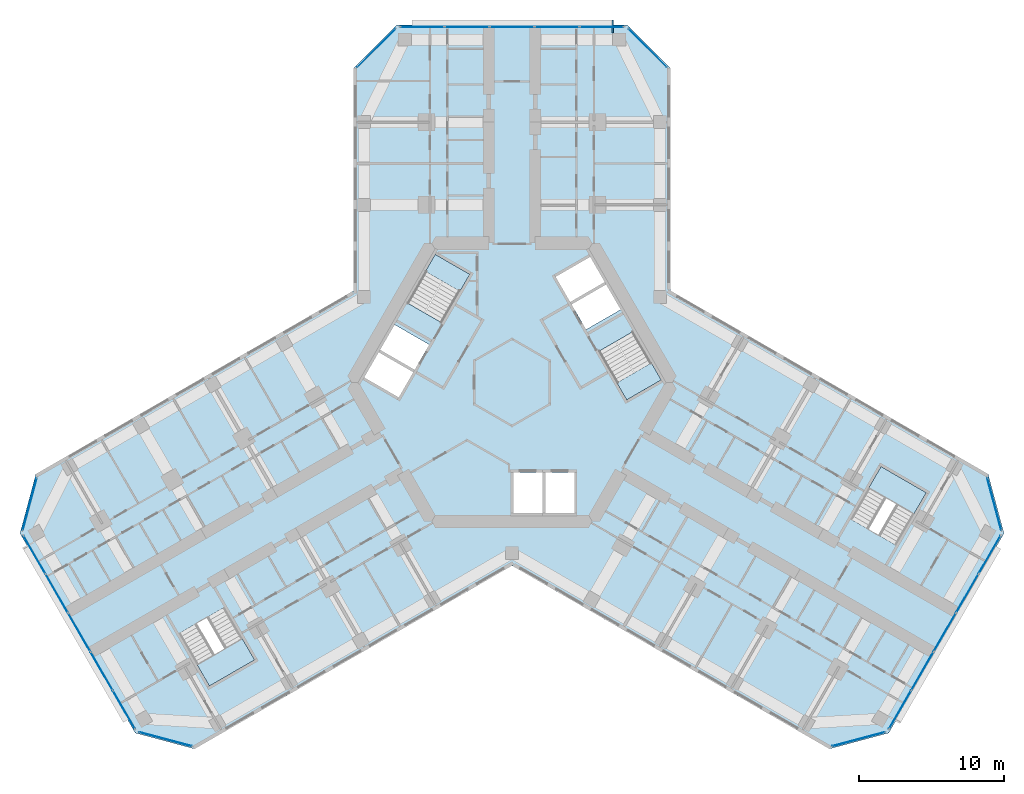
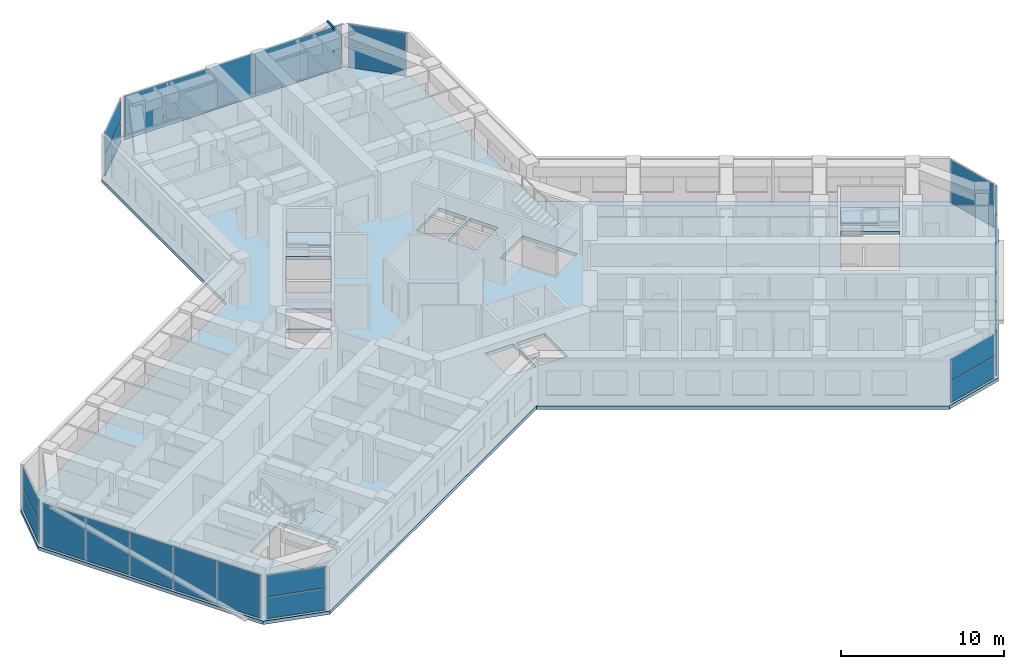
# One storey, part 9 of 19: 27 plates, 5 slabs, 1 member, 13 elements without a shape of their own.
"""IFC4 building model written with IfcOpenShell, lengths in metres."""

from ifc_helpers import new_model, si_unit, direction, frame, origin, origin_2d, place, context, subcontext, project, spatial, polyline, rectangle, hollow_rectangle, outline, extrude, material, layer, layer_set, material_profile, profile_set, type_object, element, aggregate, save


model = new_model("IFC4")

# Units and contexts
model_context = context("Model", 3, precision=1e-05, world=origin(), true_north=direction((0.0, 1.0)))
body_context = subcontext(model_context, "Body", "Model", "MODEL_VIEW")
ifc_project = project(units=[si_unit("LENGTHUNIT", "METRE"), si_unit("AREAUNIT", "SQUARE_METRE"), si_unit("VOLUMEUNIT", "CUBIC_METRE"), si_unit("PLANEANGLEUNIT", "RADIAN"), si_unit("MASSUNIT", "GRAM", prefix="KILO")], contexts=[model_context])

# Site, building, storey
site_placement = place(None, origin())
site = spatial("IfcSite", under=ifc_project, at=site_placement, CompositionType="ELEMENT")
building_placement = place(site_placement, origin())
building = spatial("IfcBuilding", under=site, at=building_placement, Name="Kosmar Iwan School Tower", CompositionType="ELEMENT")
storey_placement = place(building_placement, frame((0.0, 0.0, 158.0)))
storey = spatial("IfcBuildingStorey", under=building, at=storey_placement, Name="L39", CompositionType="ELEMENT", Elevation=158.0)

# Member
ifc_material_1 = material(Name="Steel S355", Category="steel")
ifc_material_profile = material_profile(ifc_material_1, hollow_rectangle(XDim=0.10009765625, YDim=0.199951171875, WallThickness=0.008056640625, at=origin_2d()), Name="RHS 200x100x8")
ifc_profile_set = profile_set([ifc_material_profile], Name="Steel S355")
member_type = type_object("IfcMemberType", Name="Fin bracket RHS 200x100", PredefinedType="USERDEFINED", material=ifc_profile_set)
member_placement = place(storey_placement, frame((6.949951171875, 24.10009765625, 3.47509765625), z_axis=(0.0, 1.0, 0.0), x_axis=(-1.0, 0.0, 0.0)))
element("IfcMember", 1, at=member_placement, inside=storey, type_object=member_type, Name="Fin bracket L40", ObjectType="FIN BRACKET", PredefinedType="USERDEFINED", context=body_context, shape_type="SweptSolid", body=[
    extrude(hollow_rectangle(XDim=0.10009765625, YDim=0.199951171875, WallThickness=0.008056640625, at=origin_2d()), origin(), (0.0, 0.0, 1.0), 0.89990234375),
])

# Curtain wall, plates
ifc_material_2 = material(Name="Dark glass in black aluminium frame", Category="aluminium")
curtain_wall_type_1 = type_object("IfcCurtainWallType", Name="Chamfer curtain wall dark glass", PredefinedType="USERDEFINED", material=ifc_material_2)
curtain_wall_1_placement = place(storey_placement, origin())
curtain_wall_1 = element("IfcCurtainWall", 2, at=curtain_wall_1_placement, inside=storey, type_object=curtain_wall_type_1, Name="Curtain wall L39-F02", ObjectType="FACETED CURTAIN WALL", PredefinedType="USERDEFINED")
ifc_material_3 = material(Name="Dark glass", Category="glass")
ifc_layer_1 = layer(ifc_material_3, 0.028076171875)
ifc_layer_set_1 = layer_set([ifc_layer_1], Name="Dark glass panel 28")
plate_type = type_object("IfcPlateType", Name="Dark glass panel 28", PredefinedType="CURTAIN_PANEL", material=ifc_layer_set_1)
plate_1_placement = place(storey_placement, frame((23.908203125, -24.61328125, 0.06005859375), z_axis=(0.0, 0.0, 1.0), x_axis=(0.965925875495, 0.258818861462, 0.0)))
plate_1 = element("IfcPlate", 3, at=plate_1_placement, type_object=plate_type, Name="CW2 panel 1.1", PredefinedType="CURTAIN_PANEL", context=body_context, shape_type="SweptSolid", body=[
    extrude(rectangle(XDim=3.718994140625, YDim=0.028076171875, at=origin_2d()), origin(), (0.0, 0.0, 1.0), 1.5849609375),
])
plate_2_placement = place(storey_placement, frame((23.908203125, -24.61328125, 1.705078125), z_axis=(0.0, 0.0, 1.0), x_axis=(0.965925875495, 0.258818861462, 0.0)))
plate_2 = element("IfcPlate", 4, at=plate_2_placement, type_object=plate_type, Name="CW2 panel 1.2", PredefinedType="CURTAIN_PANEL", context=body_context, shape_type="SweptSolid", body=[
    extrude(rectangle(XDim=3.718994140625, YDim=0.028076171875, at=origin_2d()), origin(), (0.0, 0.0, 1.0), 1.5849609375),
])
aggregate(curtain_wall_1, [plate_1, plate_2])

ifc_material_4 = material(Name="Dark glass in black aluminium frame", Category="aluminium")
curtain_wall_type_2 = type_object("IfcCurtainWallType", Name="Tower curtain wall dark glass", PredefinedType="USERDEFINED", material=ifc_material_4)
curtain_wall_2_placement = place(storey_placement, origin())
curtain_wall_2 = element("IfcCurtainWall", 5, at=curtain_wall_2_placement, inside=storey, type_object=curtain_wall_type_2, Name="Curtain wall L39-F03", ObjectType="UNITISED CURTAIN WALL", PredefinedType="USERDEFINED")
plate_3_placement = place(storey_placement, frame((26.764404296875, -22.592529296875, 0.06005859375), z_axis=(0.0, 0.0, 1.0), x_axis=(0.499999997325, 0.866025405329, 0.0)))
plate_3 = element("IfcPlate", 6, at=plate_3_placement, type_object=plate_type, Name="CW1 panel 1.1", PredefinedType="CURTAIN_PANEL", context=body_context, shape_type="SweptSolid", body=[
    extrude(rectangle(XDim=3.00927734375, YDim=0.028076171875, at=origin_2d()), origin(), (0.0, 0.0, 1.0), 3.22998046875),
])
plate_4_placement = place(storey_placement, frame((28.306640625, -19.921630859375, 0.06005859375), z_axis=(0.0, 0.0, 1.0), x_axis=(0.499999997325, 0.866025405329, 0.0)))
plate_4 = element("IfcPlate", 7, at=plate_4_placement, type_object=plate_type, Name="CW1 panel 2.1", PredefinedType="CURTAIN_PANEL", context=body_context, shape_type="SweptSolid", body=[
    extrude(rectangle(XDim=3.039306640625, YDim=0.028076171875, at=origin_2d()), origin(), (0.0, 0.0, 1.0), 3.22998046875),
])
plate_5_placement = place(storey_placement, frame((29.856201171875, -17.237548828125, 0.06005859375), z_axis=(0.0, 0.0, 1.0), x_axis=(0.499999997325, 0.866025405329, 0.0)))
plate_5 = element("IfcPlate", 8, at=plate_5_placement, type_object=plate_type, Name="CW1 panel 3.1", PredefinedType="CURTAIN_PANEL", context=body_context, shape_type="SweptSolid", body=[
    extrude(rectangle(XDim=3.039306640625, YDim=0.028076171875, at=origin_2d()), origin(), (0.0, 0.0, 1.0), 3.22998046875),
])
plate_6_placement = place(storey_placement, frame((31.40576171875, -14.553466796875, 0.06005859375), z_axis=(0.0, 0.0, 1.0), x_axis=(0.499999997325, 0.866025405329, 0.0)))
plate_6 = element("IfcPlate", 9, at=plate_6_placement, type_object=plate_type, Name="CW1 panel 4.1", PredefinedType="CURTAIN_PANEL", context=body_context, shape_type="SweptSolid", body=[
    extrude(rectangle(XDim=3.039306640625, YDim=0.028076171875, at=origin_2d()), origin(), (0.0, 0.0, 1.0), 3.22998046875),
])
plate_7_placement = place(storey_placement, frame((32.947998046875, -11.88232421875, 0.06005859375), z_axis=(0.0, 0.0, 1.0), x_axis=(0.499999997325, 0.866025405329, 0.0)))
plate_7 = element("IfcPlate", 10, at=plate_7_placement, type_object=plate_type, Name="CW1 panel 5.1", PredefinedType="CURTAIN_PANEL", context=body_context, shape_type="SweptSolid", body=[
    extrude(rectangle(XDim=3.00927734375, YDim=0.028076171875, at=origin_2d()), origin(), (0.0, 0.0, 1.0), 3.22998046875),
])
aggregate(curtain_wall_2, [plate_3, plate_4, plate_5, plate_6, plate_7])

curtain_wall_3_placement = place(storey_placement, origin())
curtain_wall_3 = element("IfcCurtainWall", 11, at=curtain_wall_3_placement, inside=storey, type_object=curtain_wall_type_1, Name="Curtain wall L39-F04", ObjectType="FACETED CURTAIN WALL", PredefinedType="USERDEFINED")
plate_8_placement = place(storey_placement, frame((33.269775390625, -8.3984375, 0.06005859375), z_axis=(0.0, 0.0, 1.0), x_axis=(-0.258818861462, 0.965925875495, 0.0)))
plate_8 = element("IfcPlate", 12, at=plate_8_placement, type_object=plate_type, Name="CW2 panel 1.1", PredefinedType="CURTAIN_PANEL", context=body_context, shape_type="SweptSolid", body=[
    extrude(rectangle(XDim=3.718994140625, YDim=0.028076171875, at=origin_2d()), origin(), (0.0, 0.0, 1.0), 1.5849609375),
])
plate_9_placement = place(storey_placement, frame((33.269775390625, -8.3984375, 1.705078125), z_axis=(0.0, 0.0, 1.0), x_axis=(-0.258818861462, 0.965925875495, 0.0)))
plate_9 = element("IfcPlate", 13, at=plate_9_placement, type_object=plate_type, Name="CW2 panel 1.2", PredefinedType="CURTAIN_PANEL", context=body_context, shape_type="SweptSolid", body=[
    extrude(rectangle(XDim=3.718994140625, YDim=0.028076171875, at=origin_2d()), origin(), (0.0, 0.0, 1.0), 1.5849609375),
])
aggregate(curtain_wall_3, [plate_8, plate_9])

curtain_wall_4_placement = place(storey_placement, origin())
curtain_wall_4 = element("IfcCurtainWall", 14, at=curtain_wall_4_placement, inside=storey, type_object=curtain_wall_type_1, Name="Curtain wall L39-F07", ObjectType="FACETED CURTAIN WALL", PredefinedType="USERDEFINED")
plate_10_placement = place(storey_placement, frame((9.361572265625, 23.0615234375, 0.06005859375), z_axis=(0.0, 0.0, 1.0), x_axis=(-0.707106781187, 0.707106781187, 0.0)))
plate_10 = element("IfcPlate", 15, at=plate_10_placement, type_object=plate_type, Name="CW2 panel 1.1", PredefinedType="CURTAIN_PANEL", context=body_context, shape_type="SweptSolid", body=[
    extrude(rectangle(XDim=3.718994140625, YDim=0.028076171875, at=origin_2d()), origin(), (0.0, 0.0, 1.0), 1.5849609375),
])
plate_11_placement = place(storey_placement, frame((9.361572265625, 23.0615234375, 1.705078125), z_axis=(0.0, 0.0, 1.0), x_axis=(-0.707106781187, 0.707106781187, 0.0)))
plate_11 = element("IfcPlate", 16, at=plate_11_placement, type_object=plate_type, Name="CW2 panel 1.2", PredefinedType="CURTAIN_PANEL", context=body_context, shape_type="SweptSolid", body=[
    extrude(rectangle(XDim=3.718994140625, YDim=0.028076171875, at=origin_2d()), origin(), (0.0, 0.0, 1.0), 1.5849609375),
])
aggregate(curtain_wall_4, [plate_10, plate_11])

curtain_wall_5_placement = place(storey_placement, origin())
curtain_wall_5 = element("IfcCurtainWall", 17, at=curtain_wall_5_placement, inside=storey, type_object=curtain_wall_type_2, Name="Curtain wall L39-F08", ObjectType="UNITISED CURTAIN WALL", PredefinedType="USERDEFINED")
plate_12_placement = place(storey_placement, frame((6.18359375, 24.52490234375, 0.06005859375), z_axis=(0.0, 0.0, 1.0), x_axis=(-1.0, 0.0, 0.0)))
plate_12 = element("IfcPlate", 18, at=plate_12_placement, type_object=plate_type, Name="CW1 panel 1.1", PredefinedType="CURTAIN_PANEL", context=body_context, shape_type="SweptSolid", body=[
    extrude(rectangle(XDim=3.00927734375, YDim=0.028076171875, at=origin_2d()), origin(), (0.0, 0.0, 1.0), 3.22998046875),
])
plate_13_placement = place(storey_placement, frame((3.099365234375, 24.52490234375, 0.06005859375), z_axis=(0.0, 0.0, 1.0), x_axis=(-1.0, 0.0, 0.0)))
plate_13 = element("IfcPlate", 19, at=plate_13_placement, type_object=plate_type, Name="CW1 panel 2.1", PredefinedType="CURTAIN_PANEL", context=body_context, shape_type="SweptSolid", body=[
    extrude(rectangle(XDim=3.039306640625, YDim=0.028076171875, at=origin_2d()), origin(), (0.0, 0.0, 1.0), 3.22998046875),
])
plate_14_placement = place(storey_placement, frame((0.0, 24.52490234375, 0.06005859375), z_axis=(0.0, 0.0, 1.0), x_axis=(-1.0, 0.0, 0.0)))
plate_14 = element("IfcPlate", 20, at=plate_14_placement, type_object=plate_type, Name="CW1 panel 3.1", PredefinedType="CURTAIN_PANEL", context=body_context, shape_type="SweptSolid", body=[
    extrude(rectangle(XDim=3.039306640625, YDim=0.028076171875, at=origin_2d()), origin(), (0.0, 0.0, 1.0), 3.22998046875),
])
plate_15_placement = place(storey_placement, frame((-3.099365234375, 24.52490234375, 0.06005859375), z_axis=(0.0, 0.0, 1.0), x_axis=(-1.0, 0.0, 0.0)))
plate_15 = element("IfcPlate", 21, at=plate_15_placement, type_object=plate_type, Name="CW1 panel 4.1", PredefinedType="CURTAIN_PANEL", context=body_context, shape_type="SweptSolid", body=[
    extrude(rectangle(XDim=3.039306640625, YDim=0.028076171875, at=origin_2d()), origin(), (0.0, 0.0, 1.0), 3.22998046875),
])
plate_16_placement = place(storey_placement, frame((-6.18359375, 24.52490234375, 0.06005859375), z_axis=(0.0, 0.0, 1.0), x_axis=(-1.0, 0.0, 0.0)))
plate_16 = element("IfcPlate", 22, at=plate_16_placement, type_object=plate_type, Name="CW1 panel 5.1", PredefinedType="CURTAIN_PANEL", context=body_context, shape_type="SweptSolid", body=[
    extrude(rectangle(XDim=3.00927734375, YDim=0.028076171875, at=origin_2d()), origin(), (0.0, 0.0, 1.0), 3.22998046875),
])
aggregate(curtain_wall_5, [plate_12, plate_13, plate_14, plate_15, plate_16])

curtain_wall_6_placement = place(storey_placement, origin())
curtain_wall_6 = element("IfcCurtainWall", 23, at=curtain_wall_6_placement, inside=storey, type_object=curtain_wall_type_1, Name="Curtain wall L39-F09", ObjectType="FACETED CURTAIN WALL", PredefinedType="USERDEFINED")
plate_17_placement = place(storey_placement, frame((-9.361572265625, 23.0615234375, 0.06005859375), z_axis=(0.0, 0.0, 1.0), x_axis=(-0.707106781187, -0.707106781187, 0.0)))
plate_17 = element("IfcPlate", 24, at=plate_17_placement, type_object=plate_type, Name="CW2 panel 1.1", PredefinedType="CURTAIN_PANEL", context=body_context, shape_type="SweptSolid", body=[
    extrude(rectangle(XDim=3.718994140625, YDim=0.028076171875, at=origin_2d()), origin(), (0.0, 0.0, 1.0), 1.5849609375),
])
plate_18_placement = place(storey_placement, frame((-9.361572265625, 23.0615234375, 1.705078125), z_axis=(0.0, 0.0, 1.0), x_axis=(-0.707106781187, -0.707106781187, 0.0)))
plate_18 = element("IfcPlate", 25, at=plate_18_placement, type_object=plate_type, Name="CW2 panel 1.2", PredefinedType="CURTAIN_PANEL", context=body_context, shape_type="SweptSolid", body=[
    extrude(rectangle(XDim=3.718994140625, YDim=0.028076171875, at=origin_2d()), origin(), (0.0, 0.0, 1.0), 1.5849609375),
])
aggregate(curtain_wall_6, [plate_17, plate_18])

curtain_wall_7_placement = place(storey_placement, origin())
curtain_wall_7 = element("IfcCurtainWall", 26, at=curtain_wall_7_placement, inside=storey, type_object=curtain_wall_type_1, Name="Curtain wall L39-F12", ObjectType="FACETED CURTAIN WALL", PredefinedType="USERDEFINED")
plate_19_placement = place(storey_placement, frame((-33.269775390625, -8.3984375, 0.06005859375), z_axis=(0.0, 0.0, 1.0), x_axis=(-0.258818861462, -0.965925875495, 0.0)))
plate_19 = element("IfcPlate", 27, at=plate_19_placement, type_object=plate_type, Name="CW2 panel 1.1", PredefinedType="CURTAIN_PANEL", context=body_context, shape_type="SweptSolid", body=[
    extrude(rectangle(XDim=3.718994140625, YDim=0.028076171875, at=origin_2d()), origin(), (0.0, 0.0, 1.0), 1.5849609375),
])
plate_20_placement = place(storey_placement, frame((-33.269775390625, -8.3984375, 1.705078125), z_axis=(0.0, 0.0, 1.0), x_axis=(-0.258818861462, -0.965925875495, 0.0)))
plate_20 = element("IfcPlate", 28, at=plate_20_placement, type_object=plate_type, Name="CW2 panel 1.2", PredefinedType="CURTAIN_PANEL", context=body_context, shape_type="SweptSolid", body=[
    extrude(rectangle(XDim=3.718994140625, YDim=0.028076171875, at=origin_2d()), origin(), (0.0, 0.0, 1.0), 1.5849609375),
])
aggregate(curtain_wall_7, [plate_19, plate_20])

curtain_wall_8_placement = place(storey_placement, origin())
curtain_wall_8 = element("IfcCurtainWall", 29, at=curtain_wall_8_placement, inside=storey, type_object=curtain_wall_type_2, Name="Curtain wall L39-F13", ObjectType="UNITISED CURTAIN WALL", PredefinedType="USERDEFINED")
plate_21_placement = place(storey_placement, frame((-32.947998046875, -11.88232421875, 0.06005859375), z_axis=(0.0, 0.0, 1.0), x_axis=(0.499999997325, -0.866025405329, 0.0)))
plate_21 = element("IfcPlate", 30, at=plate_21_placement, type_object=plate_type, Name="CW1 panel 1.1", PredefinedType="CURTAIN_PANEL", context=body_context, shape_type="SweptSolid", body=[
    extrude(rectangle(XDim=3.00927734375, YDim=0.028076171875, at=origin_2d()), origin(), (0.0, 0.0, 1.0), 3.22998046875),
])
plate_22_placement = place(storey_placement, frame((-31.40576171875, -14.553466796875, 0.06005859375), z_axis=(0.0, 0.0, 1.0), x_axis=(0.499999997325, -0.866025405329, 0.0)))
plate_22 = element("IfcPlate", 31, at=plate_22_placement, type_object=plate_type, Name="CW1 panel 2.1", PredefinedType="CURTAIN_PANEL", context=body_context, shape_type="SweptSolid", body=[
    extrude(rectangle(XDim=3.039306640625, YDim=0.028076171875, at=origin_2d()), origin(), (0.0, 0.0, 1.0), 3.22998046875),
])
plate_23_placement = place(storey_placement, frame((-29.856201171875, -17.237548828125, 0.06005859375), z_axis=(0.0, 0.0, 1.0), x_axis=(0.499999997325, -0.866025405329, 0.0)))
plate_23 = element("IfcPlate", 32, at=plate_23_placement, type_object=plate_type, Name="CW1 panel 3.1", PredefinedType="CURTAIN_PANEL", context=body_context, shape_type="SweptSolid", body=[
    extrude(rectangle(XDim=3.039306640625, YDim=0.028076171875, at=origin_2d()), origin(), (0.0, 0.0, 1.0), 3.22998046875),
])
plate_24_placement = place(storey_placement, frame((-28.306640625, -19.921630859375, 0.06005859375), z_axis=(0.0, 0.0, 1.0), x_axis=(0.499999997325, -0.866025405329, 0.0)))
plate_24 = element("IfcPlate", 33, at=plate_24_placement, type_object=plate_type, Name="CW1 panel 4.1", PredefinedType="CURTAIN_PANEL", context=body_context, shape_type="SweptSolid", body=[
    extrude(rectangle(XDim=3.039306640625, YDim=0.028076171875, at=origin_2d()), origin(), (0.0, 0.0, 1.0), 3.22998046875),
])
plate_25_placement = place(storey_placement, frame((-26.764404296875, -22.592529296875, 0.06005859375), z_axis=(0.0, 0.0, 1.0), x_axis=(0.499999997325, -0.866025405329, 0.0)))
plate_25 = element("IfcPlate", 34, at=plate_25_placement, type_object=plate_type, Name="CW1 panel 5.1", PredefinedType="CURTAIN_PANEL", context=body_context, shape_type="SweptSolid", body=[
    extrude(rectangle(XDim=3.00927734375, YDim=0.028076171875, at=origin_2d()), origin(), (0.0, 0.0, 1.0), 3.22998046875),
])
aggregate(curtain_wall_8, [plate_21, plate_22, plate_23, plate_24, plate_25])

curtain_wall_9_placement = place(storey_placement, origin())
curtain_wall_9 = element("IfcCurtainWall", 35, at=curtain_wall_9_placement, inside=storey, type_object=curtain_wall_type_1, Name="Curtain wall L39-F14", ObjectType="FACETED CURTAIN WALL", PredefinedType="USERDEFINED")
plate_26_placement = place(storey_placement, frame((-23.908203125, -24.61328125, 0.06005859375), z_axis=(0.0, 0.0, 1.0), x_axis=(0.965925875495, -0.258818861462, 0.0)))
plate_26 = element("IfcPlate", 36, at=plate_26_placement, type_object=plate_type, Name="CW2 panel 1.1", PredefinedType="CURTAIN_PANEL", context=body_context, shape_type="SweptSolid", body=[
    extrude(rectangle(XDim=3.718994140625, YDim=0.028076171875, at=origin_2d()), origin(), (0.0, 0.0, 1.0), 1.5849609375),
])
plate_27_placement = place(storey_placement, frame((-23.908203125, -24.61328125, 1.705078125), z_axis=(0.0, 0.0, 1.0), x_axis=(0.965925875495, -0.258818861462, 0.0)))
plate_27 = element("IfcPlate", 37, at=plate_27_placement, type_object=plate_type, Name="CW2 panel 1.2", PredefinedType="CURTAIN_PANEL", context=body_context, shape_type="SweptSolid", body=[
    extrude(rectangle(XDim=3.718994140625, YDim=0.028076171875, at=origin_2d()), origin(), (0.0, 0.0, 1.0), 1.5849609375),
])
aggregate(curtain_wall_9, [plate_26, plate_27])

# Stair, slab
ifc_material_5 = material(Name="Concrete C35/45", Category="concrete")
stair_type_1 = type_object("IfcStairType", Name="Escape stair 3600", PredefinedType="HALF_TURN_STAIR", material=ifc_material_5)
stair_1_placement = place(storey_placement, origin())
stair_1 = element("IfcStair", 38, at=stair_1_placement, inside=storey, type_object=stair_type_1, Name="Stair WS2 L39", PredefinedType="HALF_TURN_STAIR")
ifc_material_6 = material(Name="Concrete C35/45", Category="concrete")
ifc_layer_2 = layer(ifc_material_6, 0.199951171875)
ifc_layer_set_2 = layer_set([ifc_layer_2], Name="Escape stair landing 200")
slab_type_1 = type_object("IfcSlabType", Name="Escape stair landing 200", PredefinedType="LANDING", material=ifc_layer_set_2)
slab_1_placement = place(storey_placement, frame((0.0, 0.0, 1.60009765625)))
slab_1 = element("IfcSlab", 39, at=slab_1_placement, type_object=slab_type_1, Name="WS2 landing 1", PredefinedType="LANDING", context=body_context, shape_type="SweptSolid", body=[
    extrude(outline(polyline([(-18.607421875, -17.671142578125), (-21.72509765625, -19.47119140625), (-20.875, -20.943359375), (-17.75732421875, -19.143310546875), (-18.607421875, -17.671142578125)])), origin(), (0.0, 0.0, 1.0), 0.199951171875),
])
aggregate(stair_1, [slab_1])

stair_2_placement = place(storey_placement, origin())
stair_2 = element("IfcStair", 40, at=stair_2_placement, inside=storey, type_object=stair_type_1, Name="Stair WS3 L39", PredefinedType="HALF_TURN_STAIR")
slab_2_placement = place(storey_placement, frame((0.0, 0.0, 1.60009765625)))
slab_2 = element("IfcSlab", 41, at=slab_2_placement, type_object=slab_type_1, Name="WS3 landing 1", PredefinedType="LANDING", context=body_context, shape_type="SweptSolid", body=[
    extrude(outline(polyline([(24.607421875, -7.27880859375), (27.72509765625, -9.078857421875), (28.574951171875, -7.606689453125), (25.457275390625, -5.806640625), (24.607421875, -7.27880859375)])), origin(), (0.0, 0.0, 1.0), 0.199951171875),
])
aggregate(stair_2, [slab_2])

# Slab
ifc_material_7 = material(Name="Concrete C35/45", Category="concrete")
ifc_layer_3 = layer(ifc_material_7, 0.25)
ifc_layer_set_3 = layer_set([ifc_layer_3], Name="Floor slab 250")
slab_type_2 = type_object("IfcSlabType", Name="Floor slab 250", PredefinedType="FLOOR", material=ifc_layer_set_3)
slab_3_placement = place(storey_placement, frame((0.0, 0.0, -0.25)))
element("IfcSlab", 42, at=slab_3_placement, inside=storey, type_object=slab_type_2, Name="L39 floor slab", PredefinedType="FLOOR", context=body_context, shape_type="SweptSolid", body=[
    extrude(outline(polyline([(-21.891357421875, -25.282958984375), (0.0, -12.64404296875), (21.891357421875, -25.282958984375), (25.989501953125, -24.184814453125), (33.939453125, -10.4150390625), (32.84130859375, -6.317138671875), (10.949951171875, 6.322021484375), (10.949951171875, 21.64990234375), (7.949951171875, 24.64990234375), (-7.949951171875, 24.64990234375), (-10.949951171875, 21.64990234375), (-10.949951171875, 6.322021484375), (-32.84130859375, -6.317138671875), (-33.939453125, -10.4150390625), (-25.989501953125, -24.184814453125), (-21.891357421875, -25.282958984375)]), holes=[polyline([(7.91259765625, -1.205078125), (10.294189453125, 0.169921875), (8.3642578125, 3.5126953125), (5.982666015625, 2.1376953125), (7.91259765625, -1.205078125)]), polyline([(-2.91259765625, 7.455078125), (-5.294189453125, 8.830078125), (-7.22412109375, 5.4873046875), (-4.8427734375, 4.1123046875), (-2.91259765625, 7.455078125)]), polyline([(-5.712646484375, 2.60546875), (-8.09423828125, 3.98046875), (-9.09423828125, 2.248291015625), (-6.712646484375, 0.873291015625), (-5.712646484375, 2.60546875)]), polyline([(-6.812744140625, 0.7001953125), (-9.1943359375, 2.0751953125), (-10.1943359375, 0.343017578125), (-7.812744140625, -1.031982421875), (-6.812744140625, 0.7001953125)]), polyline([(5.112548828125, 3.64453125), (7.494140625, 5.01953125), (6.494140625, 6.751708984375), (4.112548828125, 5.376708984375), (5.112548828125, 3.64453125)]), polyline([(4.0126953125, 5.5498046875), (6.394287109375, 6.9248046875), (5.394287109375, 8.656982421875), (3.0126953125, 7.281982421875), (4.0126953125, 5.5498046875)]), polyline([(0.10009765625, -6.199951171875), (0.10009765625, -9.0), (2.10009765625, -9.0), (2.10009765625, -6.199951171875), (0.10009765625, -6.199951171875)]), polyline([(2.300048828125, -6.199951171875), (2.300048828125, -9.0), (4.300048828125, -9.0), (4.300048828125, -6.199951171875), (2.300048828125, -6.199951171875)]), polyline([(-19.847412109375, -15.5234375), (-22.965087890625, -17.323486328125), (-20.875, -20.943359375), (-17.75732421875, -19.143310546875), (-19.847412109375, -15.5234375)]), polyline([(23.367431640625, -9.426513671875), (26.485107421875, -11.2265625), (28.574951171875, -7.606689453125), (25.457275390625, -5.806640625), (23.367431640625, -9.426513671875)])]), origin(), (0.0, 0.0, 1.0), 0.25),
])

# Stair, slab
ifc_material_8 = material(Name="Concrete C35/45", Category="concrete")
stair_type_2 = type_object("IfcStairType", Name="Core stair 2750", PredefinedType="HALF_TURN_STAIR", material=ifc_material_8)
stair_3_placement = place(storey_placement, origin())
stair_3 = element("IfcStair", 43, at=stair_3_placement, inside=storey, type_object=stair_type_2, Name="Stair ST2 L39", PredefinedType="HALF_TURN_STAIR")
ifc_material_9 = material(Name="Concrete C35/45", Category="concrete")
ifc_layer_4 = layer(ifc_material_9, 0.199951171875)
ifc_layer_set_4 = layer_set([ifc_layer_4], Name="Stair landing 200")
slab_type_3 = type_object("IfcSlabType", Name="Stair landing 200", PredefinedType="LANDING", material=ifc_layer_set_4)
slab_4_placement = place(storey_placement, frame((0.0, 0.0, 1.60009765625)))
slab_4 = element("IfcSlab", 44, at=slab_4_placement, type_object=slab_type_3, Name="ST2 landing 1", PredefinedType="LANDING", context=body_context, shape_type="SweptSolid", body=[
    extrude(outline(polyline([(-2.91259765625, 7.455078125), (-5.294189453125, 8.830078125), (-5.97412109375, 7.65234375), (-3.5927734375, 6.27734375), (-2.91259765625, 7.455078125)])), origin(), (0.0, 0.0, 1.0), 0.199951171875),
])
aggregate(stair_3, [slab_4])

stair_4_placement = place(storey_placement, origin())
stair_4 = element("IfcStair", 45, at=stair_4_placement, inside=storey, type_object=stair_type_2, Name="Stair ST1 L39", PredefinedType="HALF_TURN_STAIR")
slab_5_placement = place(storey_placement, frame((0.0, 0.0, 1.60009765625)))
slab_5 = element("IfcSlab", 46, at=slab_5_placement, type_object=slab_type_3, Name="ST1 landing 1", PredefinedType="LANDING", context=body_context, shape_type="SweptSolid", body=[
    extrude(outline(polyline([(7.91259765625, -1.205078125), (10.294189453125, 0.169921875), (9.6142578125, 1.34765625), (7.232666015625, -0.02734375), (7.91259765625, -1.205078125)])), origin(), (0.0, 0.0, 1.0), 0.199951171875),
])
aggregate(stair_4, [slab_5])

save(model, "model.ifc")
